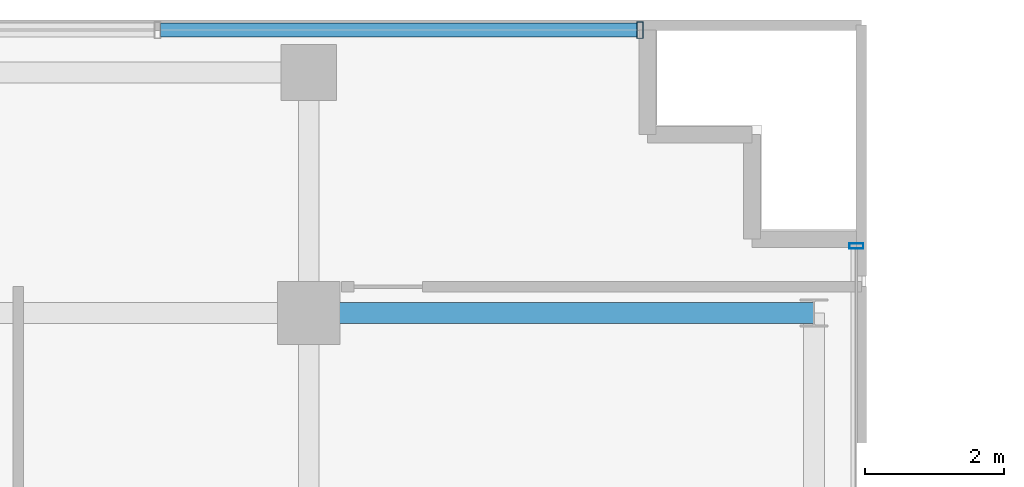
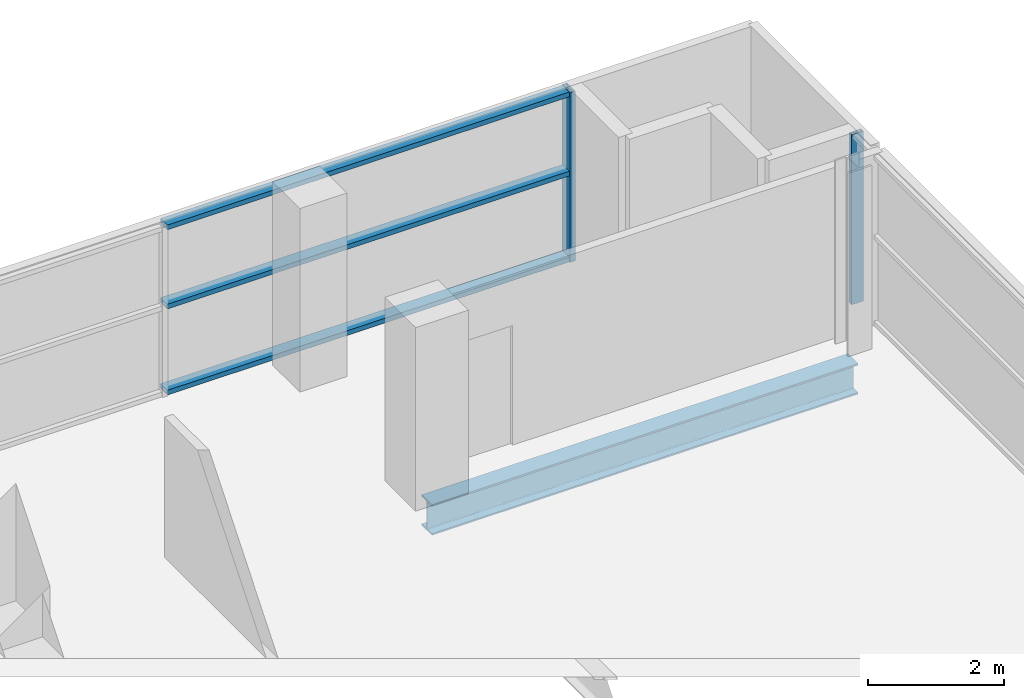
# One storey, part 15 of 24: 5 members, 1 beam, 2 elements without a shape of their own.
"""IFC4 building model written with IfcOpenShell, lengths in metres."""

from ifc_helpers import new_model, si_unit, direction, frame, origin, origin_2d, place, context, subcontext, project, spatial, hollow_rectangle, i_section, extrude, source, transform, mapped, material, layer, layer_set, material_profile, profile_set, type_object, element, aggregate, save


model = new_model("IFC4")

# Units and contexts
model_context = context("Model", 3, precision=1e-05, world=origin(), true_north=direction((0.0, 1.0)))
body_context = subcontext(model_context, "Body", "Model", "MODEL_VIEW")
ifc_project = project(units=[si_unit("LENGTHUNIT", "METRE"), si_unit("AREAUNIT", "SQUARE_METRE"), si_unit("VOLUMEUNIT", "CUBIC_METRE"), si_unit("PLANEANGLEUNIT", "RADIAN"), si_unit("MASSUNIT", "GRAM", prefix="KILO")], contexts=[model_context])

# Site, building, storey
site_placement = place(None, origin())
site = spatial("IfcSite", under=ifc_project, at=site_placement, CompositionType="ELEMENT")
building_placement = place(site_placement, origin())
building = spatial("IfcBuilding", under=site, at=building_placement, Name="Zarnakvel Exchange Tower", CompositionType="ELEMENT")
storey_placement = place(building_placement, frame((0.0, 0.0, 119.800048828125)))
storey = spatial("IfcBuildingStorey", under=building, at=storey_placement, Name="L33", CompositionType="ELEMENT", Elevation=119.800048828125)

# Beam
ifc_material_1 = material(Name="Steel S355", Category="steel")
ifc_material_profile_1 = material_profile(ifc_material_1, i_section(OverallWidth=0.300048828125, OverallDepth=0.550048828125, WebThickness=0.014892578125, FlangeThickness=0.029052734375, FilletRadius=0.027099609375, at=origin_2d()))
ifc_profile_set_1 = profile_set([ifc_material_profile_1], Name="Steel S355")
beam_type = type_object("IfcBeamType", Name="G-05", PredefinedType="BEAM", material=ifc_profile_set_1)
beam_placement = place(storey_placement, frame((21.60009765625, 13.5, -0.5), z_axis=(1.0, 0.0, 0.0), x_axis=(0.0, 1.0, 0.0)))
element("IfcBeam", 1, at=beam_placement, inside=storey, type_object=beam_type, Name="L33 Tower E-W Frame Beam", PredefinedType="BEAM", context=body_context, shape_type="SweptSolid", body=[
    extrude(i_section(OverallWidth=0.300048828125, OverallDepth=0.550048828125, WebThickness=0.014892578125, FlangeThickness=0.029052734375, FilletRadius=0.027099609375, at=origin_2d()), origin(), (0.0, 0.0, 1.0), 7.25),
])

# Curtain wall, member
ifc_material_2 = material(Name="Architectural Bronze Anodised Aluminium", Category="aluminium")
ifc_layer_1 = layer(ifc_material_2, 0.239990234375)
ifc_layer_set_1 = layer_set([ifc_layer_1], Name="Architectural Bronze Anodised Aluminium")
curtain_wall_type_1 = type_object("IfcCurtainWallType", Name="CW-02", PredefinedType="NOTDEFINED", material=ifc_layer_set_1)
curtain_wall_1_placement = place(storey_placement, origin())
curtain_wall_1 = element("IfcCurtainWall", 2, at=curtain_wall_1_placement, inside=storey, type_object=curtain_wall_type_1, Name="L33 Curtain Wall CW-L33-N1 (CW-02)", PredefinedType="NOTDEFINED")
ifc_material_profile_2 = material_profile(ifc_material_2, hollow_rectangle(XDim=0.239990234375, YDim=0.090087890625, WallThickness=0.006103515625, at=origin_2d()))
ifc_profile_set_2 = profile_set([ifc_material_profile_2], Name="Architectural Bronze Anodised Aluminium")
member_type_1 = type_object("IfcMemberType", Name="CWM-02", PredefinedType="MULLION", material=ifc_profile_set_2)
shared_shape_1 = source(origin(), body_context, "Body", "SweptSolid", [
    extrude(hollow_rectangle(XDim=0.239990234375, YDim=0.090087890625, WallThickness=0.006103515625, at=origin_2d()), origin(), (0.0, 0.0, 1.0), 3.054931640625),
])
member_1_placement = place(storey_placement, frame((26.35498046875, 17.56005859375, 0.0), z_axis=(0.0, 0.0, 1.0), x_axis=(0.0, 1.0, 0.0)))
member_1 = element("IfcMember", 3, at=member_1_placement, type_object=member_type_1, Name="CW-02 mullion 8", PredefinedType="MULLION", context=body_context, shape_type="MappedRepresentation", body=[
    mapped(shared_shape_1, transform((0.0, 0.0, 0.0), x_axis=(1.0, 0.0, 0.0), y_axis=(0.0, 1.0, 0.0), z_axis=(0.0, 0.0, 1.0), scale=1.0)),
])

ifc_layer_2 = layer(ifc_material_2, 0.199951171875)
ifc_layer_set_2 = layer_set([ifc_layer_2], Name="Architectural Bronze Anodised Aluminium")
curtain_wall_type_2 = type_object("IfcCurtainWallType", Name="CW-04", PredefinedType="NOTDEFINED", material=ifc_layer_set_2)
curtain_wall_2_placement = place(storey_placement, origin())
curtain_wall_2 = element("IfcCurtainWall", 4, at=curtain_wall_2_placement, inside=storey, type_object=curtain_wall_type_2, Name="L33 Curtain Wall CW-L33-EN (CW-04)", PredefinedType="NOTDEFINED")
ifc_material_profile_3 = material_profile(ifc_material_2, hollow_rectangle(XDim=0.199951171875, YDim=0.074951171875, WallThickness=0.0048828125, at=origin_2d()))
ifc_profile_set_3 = profile_set([ifc_material_profile_3], Name="Architectural Bronze Anodised Aluminium")
member_type_2 = type_object("IfcMemberType", Name="CWM-04", PredefinedType="MULLION", material=ifc_profile_set_3)
shared_shape_2 = source(origin(), body_context, "Body", "SweptSolid", [
    extrude(hollow_rectangle(XDim=0.199951171875, YDim=0.074951171875, WallThickness=0.0048828125, at=origin_2d()), origin(), (0.0, 0.0, 1.0), 3.054931640625),
])
member_2_placement = place(storey_placement, frame((29.4599609375, 14.46240234375, 0.0), z_axis=(0.0, 0.0, 1.0), x_axis=(-1.0, 0.0, 0.0)))
member_2 = element("IfcMember", 5, at=member_2_placement, type_object=member_type_2, Name="CW-04 mullion 3", PredefinedType="MULLION", context=body_context, shape_type="MappedRepresentation", body=[
    mapped(shared_shape_2, transform((0.0, 0.0, 0.0), x_axis=(1.0, 0.0, 0.0), y_axis=(0.0, 1.0, 0.0), z_axis=(0.0, 0.0, 1.0), scale=1.0)),
])
aggregate(curtain_wall_2, [member_2])

# Member
ifc_material_profile_4 = material_profile(ifc_material_2, hollow_rectangle(XDim=0.199951171875, YDim=0.0849609375, WallThickness=0.0048828125, at=origin_2d()))
ifc_profile_set_4 = profile_set([ifc_material_profile_4], Name="Architectural Bronze Anodised Aluminium")
member_type_3 = type_object("IfcMemberType", Name="CWT-02", PredefinedType="USERDEFINED", material=ifc_profile_set_4)
shared_shape_3 = source(origin(), body_context, "Body", "SweptSolid", [
    extrude(hollow_rectangle(XDim=0.199951171875, YDim=0.0849609375, WallThickness=0.0048828125, at=origin_2d()), origin(), (0.0, 0.0, 1.0), 6.83642578125),
])
member_3_placement = place(storey_placement, frame((19.4736328125, 17.56005859375, 0.04248046875), z_axis=(1.0, 0.0, 0.0), x_axis=(0.0, 1.0, 0.0)))
member_3 = element("IfcMember", 6, at=member_3_placement, type_object=member_type_3, Name="CW-02 transom 7.1", ObjectType="TRANSOM", PredefinedType="USERDEFINED", context=body_context, shape_type="MappedRepresentation", body=[
    mapped(shared_shape_3, transform((0.0, 0.0, 0.0), x_axis=(1.0, 0.0, 0.0), y_axis=(0.0, 1.0, 0.0), z_axis=(0.0, 0.0, 1.0), scale=1.0)),
])

member_4_placement = place(storey_placement, frame((19.4736328125, 17.56005859375, 1.588623046875), z_axis=(1.0, 0.0, 0.0), x_axis=(0.0, 1.0, 0.0)))
member_4 = element("IfcMember", 7, at=member_4_placement, type_object=member_type_3, Name="CW-02 transom 7.2", ObjectType="TRANSOM", PredefinedType="USERDEFINED", context=body_context, shape_type="MappedRepresentation", body=[
    mapped(shared_shape_3, transform((0.0, 0.0, 0.0), x_axis=(1.0, 0.0, 0.0), y_axis=(0.0, 1.0, 0.0), z_axis=(0.0, 0.0, 1.0), scale=1.0)),
])

member_5_placement = place(storey_placement, frame((19.4736328125, 17.56005859375, 3.012451171875), z_axis=(1.0, 0.0, 0.0), x_axis=(0.0, 1.0, 0.0)))
member_5 = element("IfcMember", 8, at=member_5_placement, type_object=member_type_3, Name="CW-02 transom 7.3", ObjectType="TRANSOM", PredefinedType="USERDEFINED", context=body_context, shape_type="MappedRepresentation", body=[
    mapped(shared_shape_3, transform((0.0, 0.0, 0.0), x_axis=(1.0, 0.0, 0.0), y_axis=(0.0, 1.0, 0.0), z_axis=(0.0, 0.0, 1.0), scale=1.0)),
])

aggregate(curtain_wall_1, [member_1, member_3, member_4, member_5])

save(model, "model.ifc")
